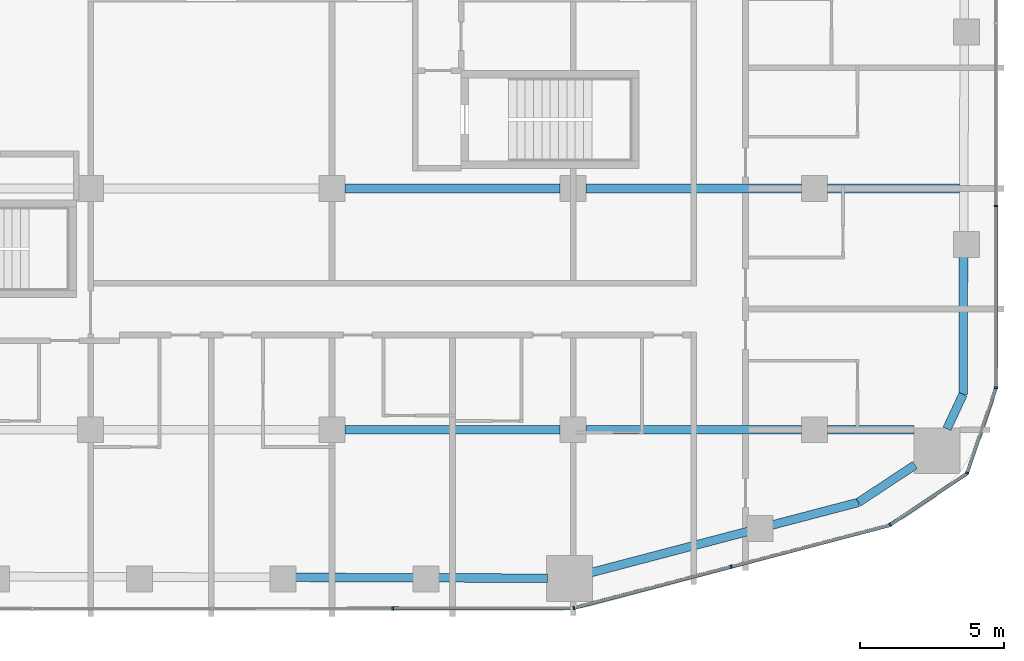
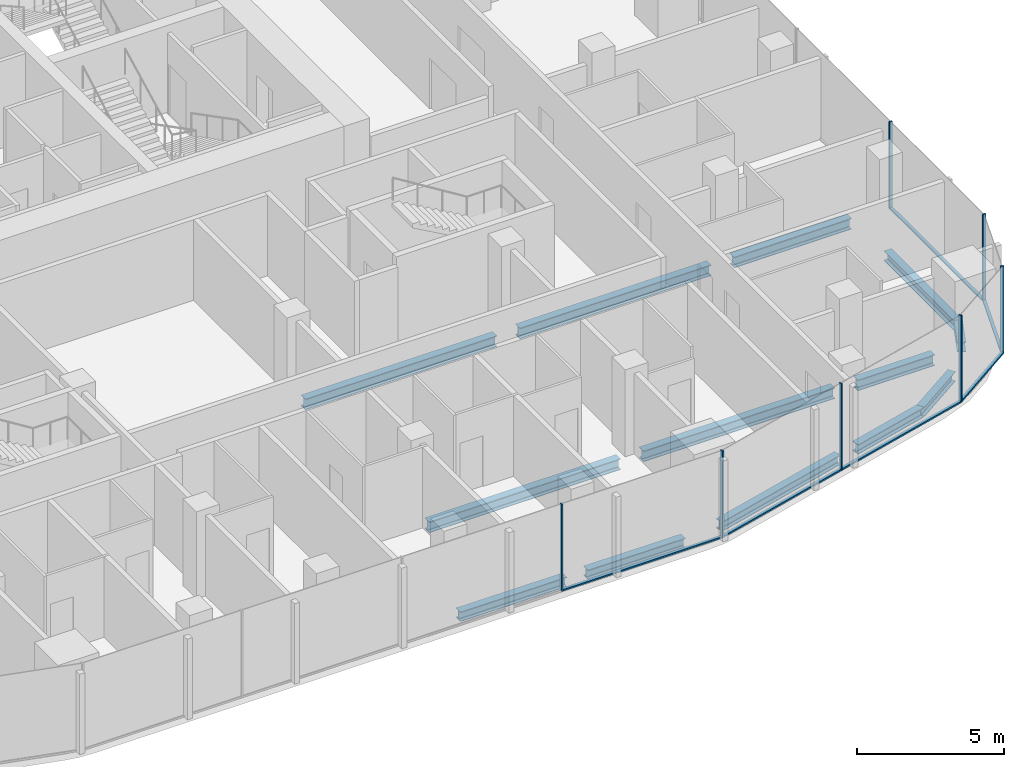
# One storey, part 6 of 23: 13 beams, 13 members, 5 elements without a shape of their own.
"""IFC4 building model written with IfcOpenShell, lengths in metres."""

import ifcopenshell
import ifcopenshell.guid

model = None  # the IFC model being written
_history = None  # IfcOwnerHistory: only IFC2X3 demands one
_inside = {}  # id of a spatial element -> (the spatial element, [elements in it])
_under = {}  # id of a project, library or spatial element -> (it, [spatial elements below it])
_declared = {}  # id of a project -> (the project, [libraries it declares])
_typed = {}  # id of a type object -> (the type object, [elements of that type])
_made_of = {}  # id of a material, layer set ... -> (it, [elements and type objects made of it])


def new_model(schema):
    """Start an empty IFC model of exactly this schema.

    Asked for "IFC4X3", IfcOpenShell would pick the latest addendum, in which some entities
    have other attributes; the version numbers below select the first issue.
    IFC2X3 requires an IfcOwnerHistory on every rooted entity: one is made here for all.
    """
    global model, _history
    if schema == "IFC4X3":
        model = ifcopenshell.file(schema_version=(4, 3, 0, 0))
    else:
        model = ifcopenshell.file(schema=schema)
    _inside.clear()
    _under.clear()
    _declared.clear()
    _typed.clear()
    _made_of.clear()
    _history = None
    if model.schema == "IFC2X3":
        org = make("IfcOrganization", Name="unknown")
        user = make(
            "IfcPersonAndOrganization",
            ThePerson=make("IfcPerson", FamilyName="unknown"),
            TheOrganization=org,
        )
        app = make(
            "IfcApplication",
            ApplicationDeveloper=org,
            Version="unknown",
            ApplicationFullName="unknown",
            ApplicationIdentifier="unknown",
        )
        _history = make(
            "IfcOwnerHistory",
            OwningUser=user,
            OwningApplication=app,
            ChangeAction="ADDED",
            CreationDate=0,
        )
    return model


def make(cls, **values):
    """One entity of the class cls with the attributes given. An attribute that is None is left unset."""
    return model.create_entity(
        cls, **{name: value for name, value in values.items() if value is not None}
    )


def rooted(cls, **values):
    """An entity with a GlobalId (a new one), such as an element, a storey or a relation."""
    return make(cls, GlobalId=ifcopenshell.guid.new(), OwnerHistory=_history, **values)


def si_unit(unit_type, name, prefix=None):
    """IfcSIUnit, for example si_unit("LENGTHUNIT", "METRE", prefix="MILLI")."""
    return make("IfcSIUnit", UnitType=unit_type, Prefix=prefix, Name=name)


def assignment(units):
    """IfcUnitAssignment: the units of a project."""
    return None if units is None else make("IfcUnitAssignment", Units=units)


def point(xyz):
    """IfcCartesianPoint."""
    return None if xyz is None else make("IfcCartesianPoint", Coordinates=xyz)


def direction(xyz):
    """IfcDirection."""
    return None if xyz is None else make("IfcDirection", DirectionRatios=xyz)


def frame(location, z_axis=None, x_axis=None):
    """IfcAxis2Placement3D, a coordinate frame: its origin and axes. An axis left out is left unset."""
    return make(
        "IfcAxis2Placement3D",
        Location=point(location),
        Axis=direction(z_axis),
        RefDirection=direction(x_axis),
    )


def frame_2d(location, x_axis=None):
    """IfcAxis2Placement2D, a coordinate frame in the plane: its origin and x axis."""
    return make(
        "IfcAxis2Placement2D", Location=point(location), RefDirection=direction(x_axis)
    )


def origin():
    """The frame at (0, 0, 0) with its axes left unset."""
    return frame((0.0, 0.0, 0.0))


def origin_2d():
    """The frame at (0, 0) in the plane with its x axis left unset."""
    return frame_2d((0.0, 0.0))


def place(relative_to, where):
    """IfcLocalPlacement: puts the frame where relative to a parent placement (None: the world)."""
    return make(
        "IfcLocalPlacement", PlacementRelTo=relative_to, RelativePlacement=where
    )


def context(
    kind, dimensions, precision=None, world=None, true_north=None, identifier=None
):
    """IfcGeometricRepresentationContext, for example the 3D "Model" context."""
    return make(
        "IfcGeometricRepresentationContext",
        ContextIdentifier=identifier,
        ContextType=kind,
        CoordinateSpaceDimension=dimensions,
        Precision=precision,
        WorldCoordinateSystem=world,
        TrueNorth=true_north,
    )


def subcontext(parent, identifier, kind, view, scale=None):
    """IfcGeometricRepresentationSubContext, for example "Body" below "Model"."""
    return make(
        "IfcGeometricRepresentationSubContext",
        ContextIdentifier=identifier,
        ContextType=kind,
        ParentContext=parent,
        TargetScale=scale,
        TargetView=view,
    )


def project(units=None, contexts=None):
    """IfcProject with its units and contexts."""
    return rooted(
        "IfcProject",
        Name="project",
        RepresentationContexts=contexts,
        UnitsInContext=assignment(units),
    )


def spatial(cls, under=None, at=None, **own):
    """A site, building, storey or space (cls), placed at a placement, below another one or the project."""
    s = rooted(cls, ObjectPlacement=at, **own)
    if under is not None:
        _under.setdefault(under.id(), (under, []))[1].append(s)
    return s


def profile(cls, at=None, kind="AREA", **sizes):
    """A parametric profile (cls). Its sizes go by their IFC names, for example OverallWidth=200.0."""
    return make(cls, ProfileType=kind, Position=at, **sizes)


def rectangle(**sizes):
    """IfcRectangleProfileDef."""
    return profile("IfcRectangleProfileDef", **sizes)


def i_section(**sizes):
    """IfcIShapeProfileDef."""
    return profile("IfcIShapeProfileDef", **sizes)


def extrude(swept, where, along, depth):
    """IfcExtrudedAreaSolid: the profile swept, set in the frame where, extruded along a direction by depth."""
    return make(
        "IfcExtrudedAreaSolid",
        SweptArea=swept,
        Position=where,
        ExtrudedDirection=direction(along),
        Depth=depth,
    )


def shape(context_of_items, identifier, shape_type, items):
    """IfcShapeRepresentation: the items that make up one representation, for example the "Body"."""
    return make(
        "IfcShapeRepresentation",
        ContextOfItems=context_of_items,
        RepresentationIdentifier=identifier,
        RepresentationType=shape_type,
        Items=items,
    )


def material(Name=None, Category=None):
    """IfcMaterial."""
    return make("IfcMaterial", Name=Name, Category=Category)


def layer(
    of_material, thickness, ventilated=None, Name=None, Category=None, Priority=None
):
    """IfcMaterialLayer: one layer of a wall or slab, of a material (None: an air gap)."""
    return make(
        "IfcMaterialLayer",
        Material=of_material,
        LayerThickness=thickness,
        IsVentilated=ventilated,
        Name=Name,
        Category=Category,
        Priority=Priority,
    )


def layer_set(layers, Name=None):
    """IfcMaterialLayerSet."""
    return make("IfcMaterialLayerSet", MaterialLayers=layers, LayerSetName=Name)


def material_profile(
    of_material, cross_section, Name=None, Category=None, Priority=None
):
    """IfcMaterialProfile: a cross section and its material."""
    return make(
        "IfcMaterialProfile",
        Name=Name,
        Material=of_material,
        Profile=cross_section,
        Priority=Priority,
        Category=Category,
    )


def profile_set(profiles, Name=None, composite=None):
    """IfcMaterialProfileSet."""
    return make(
        "IfcMaterialProfileSet",
        Name=Name,
        MaterialProfiles=profiles,
        CompositeProfile=composite,
    )


def made_of(thing, what):
    """Note that an element or type object is made of a material, layer set ...; save() writes the relation."""
    if what is not None:
        _made_of.setdefault(what.id(), (what, []))[1].append(thing)
    return thing


def type_object(cls, material=None, **own):
    """A type object (cls), such as IfcWallType, which elements share."""
    return made_of(rooted(cls, **own), material)


def element(
    cls,
    number,
    at=None,
    inside=None,
    cuts=None,
    type_object=None,
    material=None,
    context=None,
    identifier="Body",
    shape_type=None,
    held_by="IfcProductDefinitionShape",
    body=None,
    shapes=None,
    **own,
):
    """One element of the class cls, such as IfcWall. Its Tag is "e" and its number.

    at: its placement. inside: the storey or other place that contains it. cuts: it is an
    opening in that element (IfcRelVoidsElement). A single representation is given by context,
    identifier, shape_type and body (its items); several are given by shapes. held_by: the class
    of the entity that holds the representations. save() writes the other relations.
    """
    e = rooted(cls, Tag="e%d" % number, ObjectPlacement=at, **own)
    if body is not None:
        shapes = [shape(context, identifier, shape_type, body)]
    if shapes is not None:
        e.Representation = make(held_by, Representations=shapes)
    if inside is not None:
        _inside.setdefault(inside.id(), (inside, []))[1].append(e)
    if cuts is not None:
        rooted(
            "IfcRelVoidsElement", RelatingBuildingElement=cuts, RelatedOpeningElement=e
        )
    if type_object is not None:
        _typed.setdefault(type_object.id(), (type_object, []))[1].append(e)
    return made_of(e, material)


def aggregate(whole, parts):
    """IfcRelAggregates: a whole, such as a stair, and the parts it consists of."""
    return rooted("IfcRelAggregates", RelatingObject=whole, RelatedObjects=parts)


def save(model, path):
    """Write the relations noted so far, then the file.

    IfcRelAggregates (storeys below a building ...), IfcRelContainedInSpatialStructure (elements
    in a storey), IfcRelDefinesByType, IfcRelAssociatesMaterial and IfcRelDeclares: one each for
    every whole, place, type object, material and project.
    """
    for whole, parts in _under.values():
        aggregate(whole, parts)
    for where, things in _inside.values():
        rooted(
            "IfcRelContainedInSpatialStructure",
            RelatedElements=things,
            RelatingStructure=where,
        )
    for kind, things in _typed.values():
        rooted("IfcRelDefinesByType", RelatedObjects=things, RelatingType=kind)
    for what, things in _made_of.values():
        rooted("IfcRelAssociatesMaterial", RelatedObjects=things, RelatingMaterial=what)
    for by, libraries in _declared.values():
        rooted("IfcRelDeclares", RelatingContext=by, RelatedDefinitions=libraries)
    model.write(path)


model = new_model("IFC4")

# Units and contexts
model_context = context("Model", 3, precision=1e-05, world=origin(), true_north=direction((0.0, 1.0)))
body_context = subcontext(model_context, "Body", "Model", "MODEL_VIEW")
ifc_project = project(units=[si_unit("LENGTHUNIT", "METRE"), si_unit("AREAUNIT", "SQUARE_METRE"), si_unit("VOLUMEUNIT", "CUBIC_METRE"), si_unit("PLANEANGLEUNIT", "RADIAN"), si_unit("MASSUNIT", "GRAM", prefix="KILO")], contexts=[model_context])

# Site, building, storey
site_placement = place(None, origin())
site = spatial("IfcSite", under=ifc_project, at=site_placement, CompositionType="ELEMENT")
building_placement = place(site_placement, origin())
building = spatial("IfcBuilding", under=site, at=building_placement, Name="Marenta Gate Hotel Tower", CompositionType="ELEMENT")
storey_placement = place(building_placement, frame((0.0, 0.0, 104.89990234375)))
storey = spatial("IfcBuildingStorey", under=building, at=storey_placement, Name="L22", CompositionType="ELEMENT", Elevation=104.89990234375)

# Beams
ifc_material_1 = material(Name="Steel S355", Category="steel")
ifc_material_profile_1 = material_profile(ifc_material_1, i_section(OverallWidth=0.300048828125, OverallDepth=0.39990234375, WebThickness=0.013427734375, FlangeThickness=0.02392578125, FilletRadius=0.027099609375, at=origin_2d()), Name="HEB 400")
ifc_profile_set_1 = profile_set([ifc_material_profile_1], Name="Steel S355")
beam_type_1 = type_object("IfcBeamType", Name="Edge beam HEB 400", PredefinedType="SPANDREL", material=ifc_profile_set_1)
beam_1_placement = place(storey_placement, frame((26.191162109375, -10.761962890625, -0.4599609375), z_axis=(-0.003353298899, -0.999994377677, 0.0), x_axis=(0.999994377677, -0.003353298899, 0.0)))
element("IfcBeam", 1, at=beam_1_placement, inside=storey, type_object=beam_type_1, Name="L22-EB-27", PredefinedType="SPANDREL", context=body_context, shape_type="SweptSolid", body=[
    extrude(i_section(OverallWidth=0.300048828125, OverallDepth=0.39990234375, WebThickness=0.013427734375, FlangeThickness=0.02392578125, FilletRadius=0.027099609375, at=origin_2d()), origin(), (0.0, 0.0, 1.0), 4.80517578125),
])
beam_2_placement = place(storey_placement, frame((26.175048828125, -15.567138671875, -0.4599609375), z_axis=(-0.423207780269, -0.906032656541, 0.0), x_axis=(0.906032656541, -0.423207780269, 0.0)))
element("IfcBeam", 2, at=beam_2_placement, inside=storey, type_object=beam_type_1, Name="L22-EB-28", PredefinedType="SPANDREL", context=body_context, shape_type="SweptSolid", body=[
    extrude(i_section(OverallWidth=0.300048828125, OverallDepth=0.39990234375, WebThickness=0.013427734375, FlangeThickness=0.02392578125, FilletRadius=0.027099609375, at=origin_2d()), origin(), (0.0, 0.0, 1.0), 1.326904296875),
])
beam_3_placement = place(storey_placement, frame((24.496337890625, -18.0322265625, -0.4599609375), z_axis=(-0.834496060599, -0.551013906217, 0.0), x_axis=(0.551013906217, -0.834496060599, 0.0)))
element("IfcBeam", 3, at=beam_3_placement, inside=storey, type_object=beam_type_1, Name="L22-EB-29", PredefinedType="SPANDREL", context=body_context, shape_type="SweptSolid", body=[
    extrude(i_section(OverallWidth=0.300048828125, OverallDepth=0.39990234375, WebThickness=0.013427734375, FlangeThickness=0.02392578125, FilletRadius=0.027099609375, at=origin_2d()), origin(), (0.0, 0.0, 1.0), 2.357177734375),
])
beam_4_placement = place(storey_placement, frame((22.529296875, -19.3310546875, -0.4599609375), z_axis=(-0.967224706208, -0.25392197168, 0.0), x_axis=(0.25392197168, -0.967224706208, 0.0)))
element("IfcBeam", 4, at=beam_4_placement, inside=storey, type_object=beam_type_1, Name="L22-EB-30", PredefinedType="SPANDREL", context=body_context, shape_type="SweptSolid", body=[
    extrude(i_section(OverallWidth=0.300048828125, OverallDepth=0.39990234375, WebThickness=0.013427734375, FlangeThickness=0.02392578125, FilletRadius=0.027099609375, at=origin_2d()), origin(), (0.0, 0.0, 1.0), 3.11328125),
])
beam_5_placement = place(storey_placement, frame((18.695556640625, -20.33740234375, -0.4599609375), z_axis=(-0.96723321901, -0.253889542999, 0.0), x_axis=(0.253889542999, -0.96723321901, 0.0)))
element("IfcBeam", 5, at=beam_5_placement, inside=storey, type_object=beam_type_1, Name="L22-EB-31", PredefinedType="SPANDREL", context=body_context, shape_type="SweptSolid", body=[
    extrude(i_section(OverallWidth=0.300048828125, OverallDepth=0.39990234375, WebThickness=0.013427734375, FlangeThickness=0.02392578125, FilletRadius=0.027099609375, at=origin_2d()), origin(), (0.0, 0.0, 1.0), 5.6533203125),
])
beam_6_placement = place(storey_placement, frame((11.706298828125, -21.97021484375, -0.4599609375), z_axis=(-0.999994883969, 0.003198755307, 0.0), x_axis=(-0.003198755307, -0.999994883969, 0.0)))
element("IfcBeam", 6, at=beam_6_placement, inside=storey, type_object=beam_type_1, Name="L22-EB-32", PredefinedType="SPANDREL", context=body_context, shape_type="SweptSolid", body=[
    extrude(i_section(OverallWidth=0.300048828125, OverallDepth=0.39990234375, WebThickness=0.013427734375, FlangeThickness=0.02392578125, FilletRadius=0.027099609375, at=origin_2d()), origin(), (0.0, 0.0, 1.0), 3.816162109375),
])
beam_7_placement = place(storey_placement, frame((7.070068359375, -21.955322265625, -0.4599609375), z_axis=(-0.999994807487, 0.003222576575, 0.0), x_axis=(-0.003222576575, -0.999994807487, 0.0)))
element("IfcBeam", 7, at=beam_7_placement, inside=storey, type_object=beam_type_1, Name="L22-EB-33", PredefinedType="SPANDREL", context=body_context, shape_type="SweptSolid", body=[
    extrude(i_section(OverallWidth=0.300048828125, OverallDepth=0.39990234375, WebThickness=0.013427734375, FlangeThickness=0.02392578125, FilletRadius=0.027099609375, at=origin_2d()), origin(), (0.0, 0.0, 1.0), 4.166748046875),
])
ifc_material_2 = material(Name="Steel S355", Category="steel")
ifc_material_profile_2 = material_profile(ifc_material_2, i_section(OverallWidth=0.300048828125, OverallDepth=0.449951171875, WebThickness=0.013916015625, FlangeThickness=0.02587890625, FilletRadius=0.027099609375, at=origin_2d()), Name="HEB 450")
ifc_profile_set_2 = profile_set([ifc_material_profile_2], Name="Steel S355")
beam_type_2 = type_object("IfcBeamType", Name="Girder HEB 450", PredefinedType="BEAM", material=ifc_profile_set_2)
for number, where, z_axis, x_axis, name in (
    (8, (4.64990234375, -16.800048828125, -0.48486328125), (1.0, 0.0, 0.0), (0.0, 1.0, 0.0), "L22-GD-5"),
    (9, (13.050048828125, -16.800048828125, -0.48486328125), (1.0, 0.0, 0.0), (0.0, 1.0, 0.0), "L22-GD-6"),
):
    element("IfcBeam", number, at=place(storey_placement, frame(where, z_axis=z_axis, x_axis=x_axis)), inside=storey, type_object=beam_type_2, Name=name, PredefinedType="BEAM", context=body_context, shape_type="SweptSolid", body=[
        extrude(i_section(OverallWidth=0.300048828125, OverallDepth=0.449951171875, WebThickness=0.013916015625, FlangeThickness=0.02587890625, FilletRadius=0.027099609375, at=origin_2d()), origin(), (0.0, 0.0, 1.0), 7.5),
    ])
beam_8_placement = place(storey_placement, frame((21.449951171875, -16.800048828125, -0.48486328125), z_axis=(1.0, 0.0, 0.0), x_axis=(0.0, 1.0, 0.0)))
element("IfcBeam", 10, at=beam_8_placement, inside=storey, type_object=beam_type_2, Name="L22-GD-7", PredefinedType="BEAM", context=body_context, shape_type="SweptSolid", body=[
    extrude(i_section(OverallWidth=0.300048828125, OverallDepth=0.449951171875, WebThickness=0.013916015625, FlangeThickness=0.02587890625, FilletRadius=0.027099609375, at=origin_2d()), origin(), (0.0, 0.0, 1.0), 3.012939453125),
])
for number, where, z_axis, x_axis, name in (
    (11, (4.64990234375, -8.39990234375, -0.48486328125), (1.0, 0.0, 0.0), (0.0, 1.0, 0.0), "L22-GD-12"),
    (12, (13.050048828125, -8.39990234375, -0.48486328125), (1.0, 0.0, 0.0), (0.0, 1.0, 0.0), "L22-GD-13"),
):
    element("IfcBeam", number, at=place(storey_placement, frame(where, z_axis=z_axis, x_axis=x_axis)), inside=storey, type_object=beam_type_2, Name=name, PredefinedType="BEAM", context=body_context, shape_type="SweptSolid", body=[
        extrude(i_section(OverallWidth=0.300048828125, OverallDepth=0.449951171875, WebThickness=0.013916015625, FlangeThickness=0.02587890625, FilletRadius=0.027099609375, at=origin_2d()), origin(), (0.0, 0.0, 1.0), 7.5),
    ])
beam_9_placement = place(storey_placement, frame((21.449951171875, -8.39990234375, -0.48486328125), z_axis=(1.0, 0.0, 0.0), x_axis=(0.0, 1.0, 0.0)))
element("IfcBeam", 13, at=beam_9_placement, inside=storey, type_object=beam_type_2, Name="L22-GD-14", PredefinedType="BEAM", context=body_context, shape_type="SweptSolid", body=[
    extrude(i_section(OverallWidth=0.300048828125, OverallDepth=0.449951171875, WebThickness=0.013916015625, FlangeThickness=0.02587890625, FilletRadius=0.027099609375, at=origin_2d()), origin(), (0.0, 0.0, 1.0), 4.59912109375),
])

# Curtain wall, member
ifc_material_3 = material(Name="Tinted insulated glass in bronze anodised frame", Category="glass")
ifc_layer = layer(ifc_material_3, 0.1201171875)
ifc_layer_set = layer_set([ifc_layer], Name="Tinted insulated glass in bronze anodised frame")
curtain_wall_type = type_object("IfcCurtainWallType", Name="Tower unitised curtain wall CW1", PredefinedType="NOTDEFINED", material=ifc_layer_set)
curtain_wall_1_placement = place(storey_placement, origin())
curtain_wall_1 = element("IfcCurtainWall", 14, at=curtain_wall_1_placement, inside=storey, type_object=curtain_wall_type, Name="CW1 run G07", PredefinedType="NOTDEFINED")
ifc_material_4 = material(Name="Bronze anodised aluminium", Category="aluminium")
ifc_material_profile_3 = material_profile(ifc_material_4, rectangle(XDim=0.1201171875, YDim=0.06005859375, at=origin_2d()), Name="Mullion CW1 60x120 bronze anodised aluminium")
ifc_profile_set_3 = profile_set([ifc_material_profile_3], Name="Bronze anodised aluminium")
member_type_1 = type_object("IfcMemberType", Name="Mullion CW1 60x120 bronze anodised aluminium", PredefinedType="MULLION", material=ifc_profile_set_3)
member_1_placement = place(storey_placement, frame((6.32177734375, -23.021728515625, 0.0), z_axis=(0.0, 0.0, 1.0), x_axis=(-0.001362347707, 0.999999072004, 0.0)))
member_1 = element("IfcMember", 15, at=member_1_placement, type_object=member_type_1, Name="CW1 mullion 4", PredefinedType="MULLION", context=body_context, shape_type="SweptSolid", body=[
    extrude(rectangle(XDim=0.1201171875, YDim=0.06005859375, at=origin_2d()), origin(), (0.0, 0.0, 1.0), 3.60009765625),
])

# Curtain wall, members
curtain_wall_2_placement = place(storey_placement, origin())
curtain_wall_2 = element("IfcCurtainWall", 16, at=curtain_wall_2_placement, inside=storey, type_object=curtain_wall_type, Name="CW1 run G08", PredefinedType="NOTDEFINED")
member_2_placement = place(storey_placement, frame((12.626708984375, -23.005615234375, 0.0), z_axis=(0.0, 0.0, 1.0), x_axis=(-0.253374270473, 0.967368326473, 0.0)))
member_2 = element("IfcMember", 17, at=member_2_placement, type_object=member_type_1, Name="CW1 mullion 1", PredefinedType="MULLION", context=body_context, shape_type="SweptSolid", body=[
    extrude(rectangle(XDim=0.1201171875, YDim=0.06005859375, at=origin_2d()), origin(), (0.0, 0.0, 1.0), 3.60009765625),
])
member_3_placement = place(storey_placement, frame((18.102783203125, -21.571533203125, 0.0), z_axis=(0.0, 0.0, 1.0), x_axis=(-0.253374270473, 0.967368326473, 0.0)))
member_3 = element("IfcMember", 18, at=member_3_placement, type_object=member_type_1, Name="CW1 mullion 2", PredefinedType="MULLION", context=body_context, shape_type="SweptSolid", body=[
    extrude(rectangle(XDim=0.1201171875, YDim=0.06005859375, at=origin_2d()), origin(), (0.0, 0.0, 1.0), 3.60009765625),
])

# Curtain wall, member
curtain_wall_3_placement = place(storey_placement, origin())
curtain_wall_3 = element("IfcCurtainWall", 19, at=curtain_wall_3_placement, inside=storey, type_object=curtain_wall_type, Name="CW1 run G09", PredefinedType="NOTDEFINED")
member_4_placement = place(storey_placement, frame((23.632568359375, -20.113037109375, 0.0), z_axis=(0.0, 0.0, 1.0), x_axis=(-0.554016243423, 0.832505857051, 0.0)))
member_4 = element("IfcMember", 20, at=member_4_placement, type_object=member_type_1, Name="CW1 mullion 1", PredefinedType="MULLION", context=body_context, shape_type="SweptSolid", body=[
    extrude(rectangle(XDim=0.1201171875, YDim=0.06005859375, at=origin_2d()), origin(), (0.0, 0.0, 1.0), 3.60009765625),
])

curtain_wall_4_placement = place(storey_placement, origin())
curtain_wall_4 = element("IfcCurtainWall", 21, at=curtain_wall_4_placement, inside=storey, type_object=curtain_wall_type, Name="CW1 run G10", PredefinedType="NOTDEFINED")
member_5_placement = place(storey_placement, frame((26.314453125, -18.30615234375, 0.0), z_axis=(0.0, 0.0, 1.0), x_axis=(-0.946728385013, 0.322033173773, 0.0)))
member_5 = element("IfcMember", 22, at=member_5_placement, type_object=member_type_1, Name="CW1 mullion 1", PredefinedType="MULLION", context=body_context, shape_type="SweptSolid", body=[
    extrude(rectangle(XDim=0.1201171875, YDim=0.06005859375, at=origin_2d()), origin(), (0.0, 0.0, 1.0), 3.60009765625),
])

# Curtain wall, members
curtain_wall_5_placement = place(storey_placement, origin())
curtain_wall_5 = element("IfcCurtainWall", 23, at=curtain_wall_5_placement, inside=storey, type_object=curtain_wall_type, Name="CW1 run G11", PredefinedType="NOTDEFINED")
member_6_placement = place(storey_placement, frame((27.31396484375, -15.337890625, 0.0), z_axis=(0.0, 0.0, 1.0), x_axis=(-1.0, 0.0, 0.0)))
member_6 = element("IfcMember", 24, at=member_6_placement, type_object=member_type_1, Name="CW1 mullion 1", PredefinedType="MULLION", context=body_context, shape_type="SweptSolid", body=[
    extrude(rectangle(XDim=0.1201171875, YDim=0.06005859375, at=origin_2d()), origin(), (0.0, 0.0, 1.0), 3.60009765625),
])
member_7_placement = place(storey_placement, frame((27.31396484375, -9.008056640625, 0.0), z_axis=(0.0, 0.0, 1.0), x_axis=(-1.0, 0.0, 0.0)))
member_7 = element("IfcMember", 25, at=member_7_placement, type_object=member_type_1, Name="CW1 mullion 2", PredefinedType="MULLION", context=body_context, shape_type="SweptSolid", body=[
    extrude(rectangle(XDim=0.1201171875, YDim=0.06005859375, at=origin_2d()), origin(), (0.0, 0.0, 1.0), 3.60009765625),
])

# Member
ifc_material_5 = material(Name="Bronze anodised aluminium", Category="aluminium")
ifc_material_profile_4 = material_profile(ifc_material_5, rectangle(XDim=0.1201171875, YDim=0.06005859375, at=origin_2d()), Name="Transom CW1 60x120 bronze anodised aluminium")
ifc_profile_set_4 = profile_set([ifc_material_profile_4], Name="Bronze anodised aluminium")
member_type_2 = type_object("IfcMemberType", Name="Transom CW1 60x120 bronze anodised aluminium", PredefinedType="USERDEFINED", material=ifc_profile_set_4)
member_8_placement = place(storey_placement, frame((6.351806640625, -23.021728515625, 0.030029296875), z_axis=(0.999999064231, 0.001368041246, 0.0), x_axis=(-0.001368041246, 0.999999064231, 0.0)))
member_8 = element("IfcMember", 26, at=member_8_placement, type_object=member_type_2, Name="CW1 transom 4.1", ObjectType="TRANSOM", PredefinedType="USERDEFINED", context=body_context, shape_type="SweptSolid", body=[
    extrude(rectangle(XDim=0.1201171875, YDim=0.06005859375, at=origin_2d()), origin(), (0.0, 0.0, 1.0), 6.24609375),
])

aggregate(curtain_wall_1, [member_1, member_8])

member_9_placement = place(storey_placement, frame((12.65576171875, -22.998046875, 0.030029296875), z_axis=(0.967374258372, 0.25335162174, 0.0), x_axis=(-0.25335162174, 0.967374258372, 0.0)))
member_9 = element("IfcMember", 27, at=member_9_placement, type_object=member_type_2, Name="CW1 transom 1.1", ObjectType="TRANSOM", PredefinedType="USERDEFINED", context=body_context, shape_type="SweptSolid", body=[
    extrude(rectangle(XDim=0.1201171875, YDim=0.06005859375, at=origin_2d()), origin(), (0.0, 0.0, 1.0), 5.6005859375),
])

member_10_placement = place(storey_placement, frame((18.1318359375, -21.56396484375, 0.030029296875), z_axis=(0.967364420611, 0.253389182357, 0.0), x_axis=(-0.253389182357, 0.967364420611, 0.0)))
member_10 = element("IfcMember", 28, at=member_10_placement, type_object=member_type_2, Name="CW1 transom 2.1", ObjectType="TRANSOM", PredefinedType="USERDEFINED", context=body_context, shape_type="SweptSolid", body=[
    extrude(rectangle(XDim=0.1201171875, YDim=0.06005859375, at=origin_2d()), origin(), (0.0, 0.0, 1.0), 5.66064453125),
])

aggregate(curtain_wall_2, [member_2, member_3, member_9, member_10])

member_11_placement = place(storey_placement, frame((23.657470703125, -20.096435546875, 0.030029296875), z_axis=(0.832522439521, 0.553991324565, 0.0), x_axis=(-0.553991324565, 0.832522439521, 0.0)))
member_11 = element("IfcMember", 29, at=member_11_placement, type_object=member_type_2, Name="CW1 transom 1.1", ObjectType="TRANSOM", PredefinedType="USERDEFINED", context=body_context, shape_type="SweptSolid", body=[
    extrude(rectangle(XDim=0.1201171875, YDim=0.06005859375, at=origin_2d()), origin(), (0.0, 0.0, 1.0), 3.179931640625),
])

aggregate(curtain_wall_3, [member_4, member_11])

member_12_placement = place(storey_placement, frame((26.32421875, -18.27783203125, 0.030029296875), z_axis=(0.322012379162, 0.946735458123, 0.0), x_axis=(-0.946735458123, 0.322012379162, 0.0)))
member_12 = element("IfcMember", 30, at=member_12_placement, type_object=member_type_2, Name="CW1 transom 1.1", ObjectType="TRANSOM", PredefinedType="USERDEFINED", context=body_context, shape_type="SweptSolid", body=[
    extrude(rectangle(XDim=0.1201171875, YDim=0.06005859375, at=origin_2d()), origin(), (0.0, 0.0, 1.0), 3.07373046875),
])

aggregate(curtain_wall_4, [member_5, member_12])

member_13_placement = place(storey_placement, frame((27.31396484375, -15.30810546875, 0.030029296875), z_axis=(0.0, 1.0, 0.0), x_axis=(-1.0, 0.0, 0.0)))
member_13 = element("IfcMember", 31, at=member_13_placement, type_object=member_type_2, Name="CW1 transom 1.1", ObjectType="TRANSOM", PredefinedType="USERDEFINED", context=body_context, shape_type="SweptSolid", body=[
    extrude(rectangle(XDim=0.1201171875, YDim=0.06005859375, at=origin_2d()), origin(), (0.0, 0.0, 1.0), 6.27001953125),
])

aggregate(curtain_wall_5, [member_6, member_7, member_13])

save(model, "model.ifc")
